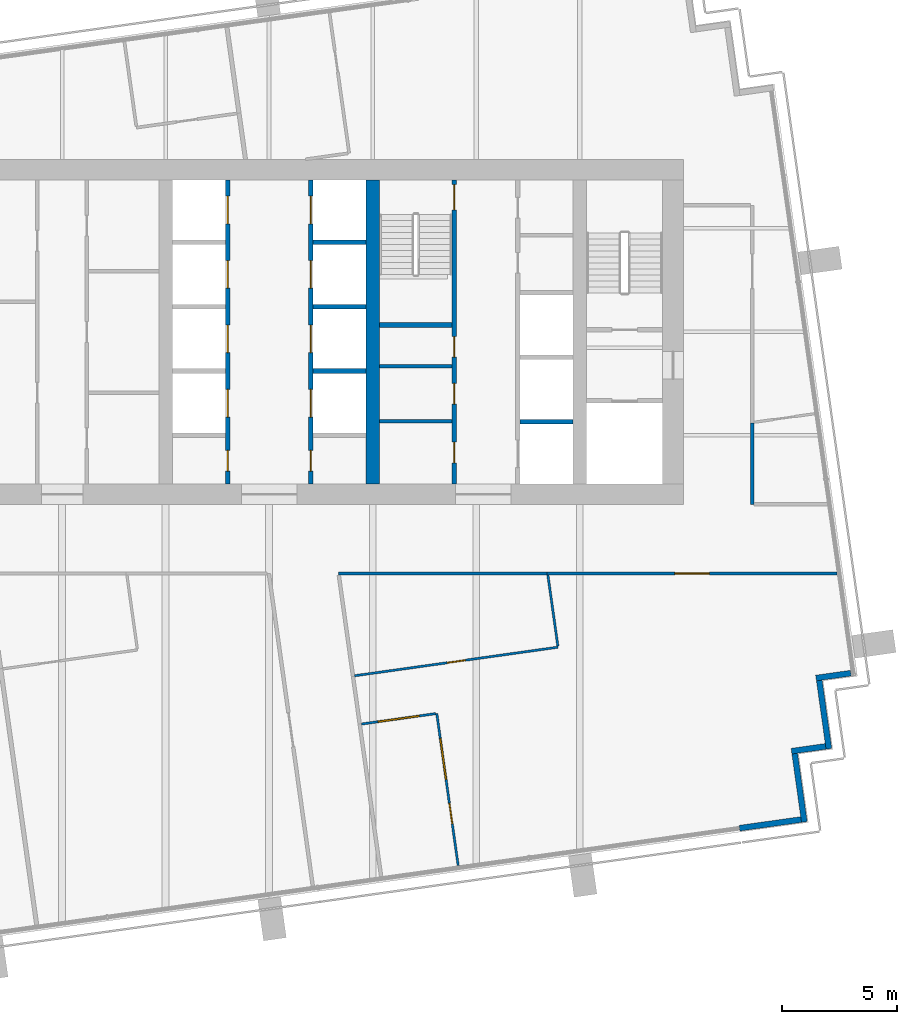
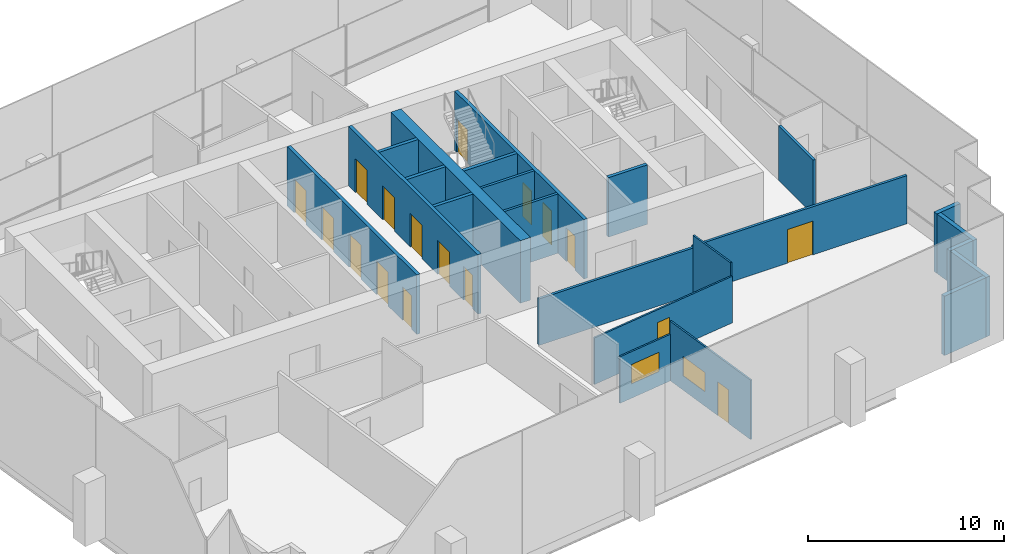
# One storey, part 9 of 15: 23 walls, 17 doors, 2 windows, 19 openings.
"""IFC4 building model written with IfcOpenShell, lengths in metres."""

from ifc_helpers import new_model, si_unit, direction, frame, frame_2d, origin, place, context, subcontext, project, spatial, rectangle, extrude, material, layer, layer_set, type_object, element, fill, save


model = new_model("IFC4")

# Units and contexts
model_context = context("Model", 3, precision=1e-05, world=origin(), true_north=direction((0.0, 1.0)))
body_context = subcontext(model_context, "Body", "Model", "MODEL_VIEW")
ifc_project = project(units=[si_unit("LENGTHUNIT", "METRE"), si_unit("AREAUNIT", "SQUARE_METRE"), si_unit("VOLUMEUNIT", "CUBIC_METRE"), si_unit("PLANEANGLEUNIT", "RADIAN"), si_unit("MASSUNIT", "GRAM", prefix="KILO")], contexts=[model_context])

# Site, building, storey
site_placement = place(None, origin())
site = spatial("IfcSite", under=ifc_project, at=site_placement, CompositionType="ELEMENT")
building_placement = place(site_placement, origin())
building = spatial("IfcBuilding", under=site, at=building_placement, Name="Rattan Terrace Tower", CompositionType="ELEMENT")
storey_placement = place(building_placement, frame((0.0, 0.0, 278.5)))
storey = spatial("IfcBuildingStorey", under=building, at=storey_placement, Name="L64", CompositionType="ELEMENT", Elevation=278.5)

# Walls
ifc_material_1 = material(Name="Gypsum board partition")
ifc_layer_1 = layer(ifc_material_1, 0.14990234375)
ifc_layer_set_1 = layer_set([ifc_layer_1], Name="Core partition 150")
wall_type_1 = type_object("IfcWallType", Name="Core partition 150", PredefinedType="PARTITIONING", material=ifc_layer_set_1)
for number, where, z_axis, x_axis, name in (
    (1, (4.800048828125, -3.8798828125, 0.0), (0.0, 0.0, 1.0), (1.0, 0.0, 0.0), "Toilet wall"),
    (2, (4.800048828125, -1.5, 0.0), (0.0, 0.0, 1.0), (1.0, 0.0, 0.0), "Toilet wall"),
):
    element("IfcWall", number, at=place(storey_placement, frame(where, z_axis=z_axis, x_axis=x_axis)), inside=storey, type_object=wall_type_1, Name=name, PredefinedType="PARTITIONING", context=body_context, shape_type="SweptSolid", body=[
        extrude(rectangle(XDim=3.14990234375, YDim=0.14990234375, at=frame_2d((1.574951171875, 0.0))), origin(), (0.0, 0.0, 1.0), 3.699951171875),
    ])

# Wall, openings, doors
ifc_material_2 = material(Name="Gypsum board partition")
ifc_layer_2 = layer(ifc_material_2, 0.199951171875)
ifc_layer_set_2 = layer_set([ifc_layer_2], Name="Core partition 200")
wall_type_2 = type_object("IfcWallType", Name="Core partition 200", PredefinedType="PARTITIONING", material=ifc_layer_set_2)
wall_1_placement = place(storey_placement, frame((8.050048828125, -6.60009765625, 0.0), z_axis=(0.0, 0.0, 1.0), x_axis=(0.0, 1.0, 0.0)))
wall_1 = element("IfcWall", 3, at=wall_1_placement, inside=storey, type_object=wall_type_2, Name="Lobby wall west", PredefinedType="PARTITIONING", context=body_context, shape_type="SweptSolid", body=[
    extrude(rectangle(XDim=13.2001953125, YDim=0.199951171875, at=frame_2d((6.60009765625, 0.0))), origin(), (0.0, 0.0, 1.0), 3.699951171875),
])
opening_1_placement = place(wall_1_placement, frame((0.909912109375, 0.0, 0.0)))
opening_1 = element("IfcOpeningElement", 4, at=opening_1_placement, cuts=wall_1, Name="Opening L64-D014", PredefinedType="OPENING", context=body_context, shape_type="SweptSolid", body=[
    extrude(rectangle(XDim=0.89990234375, YDim=2.10009765625, at=frame_2d((0.449951171875, 1.050048828125))), frame((0.0, 0.110595703125, 0.0), z_axis=(0.0, -1.0, 0.0), x_axis=(1.0, 0.0, 0.0)), (0.0, 0.0, 1.0), 0.220947265625),
])
opening_2_placement = place(wall_1_placement, frame((3.4599609375, 0.0, 0.0)))
opening_2 = element("IfcOpeningElement", 5, at=opening_2_placement, cuts=wall_1, Name="Opening L64-D015", PredefinedType="OPENING", context=body_context, shape_type="SweptSolid", body=[
    extrude(rectangle(XDim=0.89990234375, YDim=2.10009765625, at=frame_2d((0.449951171875, 1.050048828125))), frame((0.0, 0.110595703125, 0.0), z_axis=(0.0, -1.0, 0.0), x_axis=(1.0, 0.0, 0.0)), (0.0, 0.0, 1.0), 0.220947265625),
])
opening_3_placement = place(wall_1_placement, frame((5.5, 0.0, 0.0)))
opening_3 = element("IfcOpeningElement", 6, at=opening_3_placement, cuts=wall_1, Name="Opening L64-D016", PredefinedType="OPENING", context=body_context, shape_type="SweptSolid", body=[
    extrude(rectangle(XDim=0.89990234375, YDim=2.10009765625, at=frame_2d((0.449951171875, 1.050048828125))), frame((0.0, 0.110595703125, 0.0), z_axis=(0.0, -1.0, 0.0), x_axis=(1.0, 0.0, 0.0)), (0.0, 0.0, 1.0), 0.220947265625),
])
opening_4_placement = place(wall_1_placement, frame((11.89990234375, 0.0, 0.0)))
opening_4 = element("IfcOpeningElement", 7, at=opening_4_placement, cuts=wall_1, Name="Opening L64-D017", PredefinedType="OPENING", context=body_context, shape_type="SweptSolid", body=[
    extrude(rectangle(XDim=1.10009765625, YDim=2.10009765625, at=frame_2d((0.550048828125, 1.050048828125))), frame((0.0, 0.110595703125, 0.0), z_axis=(0.0, -1.0, 0.0), x_axis=(1.0, 0.0, 0.0)), (0.0, 0.0, 1.0), 0.220947265625),
])
ifc_material_3 = material(Name="Hollow-metal fire door leaf")
door_type_1 = type_object("IfcDoorType", Name="Core service room door 900", OperationType="NOTDEFINED", PredefinedType="DOOR", material=ifc_material_3)
door_1_placement = place(opening_3_placement, origin())
door_1 = element("IfcDoor", 8, at=door_1_placement, inside=storey, type_object=door_type_1, Name="Door L64-D016", OperationType="SINGLE_SWING_RIGHT", OverallHeight=2.10009765625, OverallWidth=0.89990234375, PredefinedType="DOOR", context=body_context, shape_type="SweptSolid", body=[
    extrude(rectangle(XDim=0.89990234375, YDim=2.10009765625, at=frame_2d((0.449951171875, 1.050048828125))), frame((0.0, 0.02490234375, 0.0), z_axis=(0.0, -1.0, 0.0), x_axis=(1.0, 0.0, 0.0)), (0.0, 0.0, 1.0), 0.050048828125),
])
fill(opening_3, door_1)
ifc_material_4 = material(Name="Hollow-metal fire door leaf")
door_type_2 = type_object("IfcDoorType", Name="Core stair door 1100", OperationType="NOTDEFINED", PredefinedType="DOOR", material=ifc_material_4)
door_2_placement = place(opening_4_placement, origin())
door_2 = element("IfcDoor", 9, at=door_2_placement, inside=storey, type_object=door_type_2, Name="Door L64-D017", OperationType="SINGLE_SWING_LEFT", OverallHeight=2.10009765625, OverallWidth=1.10009765625, PredefinedType="DOOR", context=body_context, shape_type="SweptSolid", body=[
    extrude(rectangle(XDim=1.10009765625, YDim=2.10009765625, at=frame_2d((0.550048828125, 1.050048828125))), frame((0.0, 0.02490234375, 0.0), z_axis=(0.0, -1.0, 0.0), x_axis=(1.0, 0.0, 0.0)), (0.0, 0.0, 1.0), 0.050048828125),
])
fill(opening_4, door_2)
ifc_material_5 = material(Name="Hollow-metal fire door leaf")
door_type_3 = type_object("IfcDoorType", Name="Core toilet door 900", OperationType="NOTDEFINED", PredefinedType="DOOR", material=ifc_material_5)
door_3_placement = place(opening_1_placement, origin())
door_3 = element("IfcDoor", 10, at=door_3_placement, inside=storey, type_object=door_type_3, Name="Door L64-D014", OperationType="SINGLE_SWING_RIGHT", OverallHeight=2.10009765625, OverallWidth=0.89990234375, PredefinedType="DOOR", context=body_context, shape_type="SweptSolid", body=[
    extrude(rectangle(XDim=0.89990234375, YDim=2.10009765625, at=frame_2d((0.449951171875, 1.050048828125))), frame((0.0, 0.02490234375, 0.0), z_axis=(0.0, -1.0, 0.0), x_axis=(1.0, 0.0, 0.0)), (0.0, 0.0, 1.0), 0.050048828125),
])
fill(opening_1, door_3)
door_4_placement = place(opening_2_placement, origin())
door_4 = element("IfcDoor", 11, at=door_4_placement, inside=storey, type_object=door_type_3, Name="Door L64-D015", OperationType="SINGLE_SWING_LEFT", OverallHeight=2.10009765625, OverallWidth=0.89990234375, PredefinedType="DOOR", context=body_context, shape_type="SweptSolid", body=[
    extrude(rectangle(XDim=0.89990234375, YDim=2.10009765625, at=frame_2d((0.449951171875, 1.050048828125))), frame((0.0, 0.02490234375, 0.0), z_axis=(0.0, -1.0, 0.0), x_axis=(1.0, 0.0, 0.0)), (0.0, 0.0, 1.0), 0.050048828125),
])
fill(opening_2, door_4)

# Walls
wall_2_placement = place(storey_placement, frame((4.800048828125, 0.300048828125, 0.0), z_axis=(0.0, 0.0, 1.0), x_axis=(1.0, 0.0, 0.0)))
element("IfcWall", 12, at=wall_2_placement, inside=storey, type_object=wall_type_2, Name="Stair enclosure wall", PredefinedType="PARTITIONING", context=body_context, shape_type="SweptSolid", body=[
    extrude(rectangle(XDim=3.14990234375, YDim=0.199951171875, at=frame_2d((1.574951171875, 0.0))), origin(), (0.0, 0.0, 1.0), 3.699951171875),
])
ifc_material_6 = material(Name="Concrete C50/60", Category="concrete")
ifc_layer_3 = layer(ifc_material_6, 0.60009765625)
ifc_layer_set_3 = layer_set([ifc_layer_3], Name="Core spine wall 600 C50/60")
wall_type_3 = type_object("IfcWallType", Name="Core spine wall 600 C50/60", PredefinedType="SHEAR", material=ifc_layer_set_3)
wall_3_placement = place(storey_placement, frame((4.5, -6.60009765625, -0.199951171875), z_axis=(0.0, 0.0, 1.0), x_axis=(0.0, 1.0, 0.0)))
element("IfcWall", 13, at=wall_3_placement, inside=storey, type_object=wall_type_3, Name="Core spine wall 3", PredefinedType="SHEAR", context=body_context, shape_type="SweptSolid", body=[
    extrude(rectangle(XDim=13.2001953125, YDim=0.60009765625, at=frame_2d((6.60009765625, 0.0))), origin(), (0.0, 0.0, 1.0), 3.89990234375),
])
ifc_material_7 = material(Name="Insulated aluminium-clad stud wall", Category="aluminium")
ifc_layer_4 = layer(ifc_material_7, 0.25)
ifc_layer_set_4 = layer_set([ifc_layer_4], Name="Facade Riser Wall 250")
wall_type_4 = type_object("IfcWallType", Name="Facade Riser Wall 250", PredefinedType="SOLIDWALL", material=ifc_layer_set_4)
wall_4_placement = place(storey_placement, frame((20.4404296875, -21.571533203125, 0.0), z_axis=(0.0, 0.0, 1.0), x_axis=(0.990293105353, 0.138994839796, 0.0)))
element("IfcWall", 14, at=wall_4_placement, inside=storey, type_object=wall_type_4, Name="Riser wall L64-1", PredefinedType="SOLIDWALL", context=body_context, shape_type="SweptSolid", body=[
    extrude(rectangle(XDim=2.705078125, YDim=0.25, at=frame_2d((1.3525390625, 0.0))), origin(), (0.0, 0.0, 1.0), 3.699951171875),
])
wall_5_placement = place(storey_placement, frame((23.260498046875, -21.302001953125, 0.0), z_axis=(0.0, 0.0, 1.0), x_axis=(-0.138994228812, 0.990293191109, 0.0)))
element("IfcWall", 15, at=wall_5_placement, inside=storey, type_object=wall_type_4, Name="Riser wall L64-2", PredefinedType="SOLIDWALL", context=body_context, shape_type="SweptSolid", body=[
    extrude(rectangle(XDim=3.0, YDim=0.25, at=frame_2d((1.5, 0.0))), origin(), (0.0, 0.0, 1.0), 3.699951171875),
])
wall_6_placement = place(storey_placement, frame((22.7021484375, -18.224853515625, 0.0), z_axis=(0.0, 0.0, 1.0), x_axis=(0.990243596651, 0.13934711799, 0.0)))
element("IfcWall", 16, at=wall_6_placement, inside=storey, type_object=wall_type_4, Name="Riser wall L64-3", PredefinedType="SOLIDWALL", context=body_context, shape_type="SweptSolid", body=[
    extrude(rectangle(XDim=1.499755859375, YDim=0.25, at=frame_2d((0.75, 0.0))), origin(), (0.0, 0.0, 1.0), 3.699951171875),
])
wall_7_placement = place(storey_placement, frame((24.328369140625, -18.1220703125, 0.0), z_axis=(0.0, 0.0, 1.0), x_axis=(-0.139358350296, 0.990242015975, 0.0)))
element("IfcWall", 17, at=wall_7_placement, inside=storey, type_object=wall_type_4, Name="Riser wall L64-4", PredefinedType="SOLIDWALL", context=body_context, shape_type="SweptSolid", body=[
    extrude(rectangle(XDim=2.999267578125, YDim=0.25, at=frame_2d((1.49951171875, 0.0))), origin(), (0.0, 0.0, 1.0), 3.699951171875),
])
wall_8_placement = place(storey_placement, frame((23.769287109375, -15.045654296875, 0.0), z_axis=(0.0, 0.0, 1.0), x_axis=(0.990260716096, 0.139225407725, 0.0)))
element("IfcWall", 18, at=wall_8_placement, inside=storey, type_object=wall_type_4, Name="Riser wall L64-5", PredefinedType="SOLIDWALL", context=body_context, shape_type="SweptSolid", body=[
    extrude(rectangle(XDim=1.525634765625, YDim=0.25, at=frame_2d((0.7626953125, 0.0))), origin(), (0.0, 0.0, 1.0), 3.699951171875),
])

# Wall, opening, window
ifc_material_8 = material(Name="Gypsum board partition on steel studs", Category="steel")
ifc_layer_5 = layer(ifc_material_8, 0.10009765625)
ifc_layer_set_5 = layer_set([ifc_layer_5], Name="Floors Partition 100")
wall_type_5 = type_object("IfcWallType", Name="Floors Partition 100", PredefinedType="PARTITIONING", material=ifc_layer_set_5)
wall_9_placement = place(storey_placement, frame((7.23388671875, -16.592041015625, 0.0), z_axis=(0.0, 0.0, 1.0), x_axis=(-0.990276766322, -0.139111200419, 0.0)))
wall_9 = element("IfcWall", 19, at=wall_9_placement, inside=storey, type_object=wall_type_5, Name="pt-L64-025", PredefinedType="PARTITIONING", context=body_context, shape_type="SweptSolid", body=[
    extrude(rectangle(XDim=3.255615234375, YDim=0.10009765625, at=frame_2d((1.6279296875, 0.0))), origin(), (0.0, 0.0, 1.0), 2.89990234375),
])
opening_5_placement = place(wall_9_placement, frame((0.72802734375, 0.0, 0.89990234375)))
opening_5 = element("IfcOpeningElement", 20, at=opening_5_placement, cuts=wall_9, Name="Opening L64-W100", PredefinedType="OPENING", context=body_context, shape_type="SweptSolid", body=[
    extrude(rectangle(XDim=1.800048828125, YDim=1.199951171875, at=frame_2d((0.89990234375, 0.60009765625))), frame((0.0, 0.060546875, 0.0), z_axis=(0.0, -1.0, 0.0), x_axis=(1.0, 0.0, 0.0)), (0.0, 0.0, 1.0), 0.12109375),
])
ifc_material_9 = material(Name="Glass, clear, fixed in aluminium frame", Category="aluminium")
window_type = type_object("IfcWindowType", Name="Interior Vision Window 1800x1200", PartitioningType="SINGLE_PANEL", PredefinedType="WINDOW", material=ifc_material_9)
window_1_placement = place(opening_5_placement, origin())
window_1 = element("IfcWindow", 21, at=window_1_placement, inside=storey, type_object=window_type, Name="w-L64-100", OverallHeight=1.199951171875, OverallWidth=1.800048828125, PartitioningType="SINGLE_PANEL", PredefinedType="WINDOW", context=body_context, shape_type="SweptSolid", body=[
    extrude(rectangle(XDim=1.800048828125, YDim=1.199951171875, at=frame_2d((0.89990234375, 0.60009765625))), frame((0.0, 0.030029296875, 0.0), z_axis=(0.0, -1.0, 0.0), x_axis=(1.0, 0.0, 0.0)), (0.0, 0.0, 1.0), 0.06005859375),
])
fill(opening_5, window_1)

# Wall, openings, door, window
wall_10_placement = place(storey_placement, frame((8.214111328125, -23.197998046875, 0.0), z_axis=(0.0, 0.0, 1.0), x_axis=(-0.139286759584, 0.990252088412, 0.0)))
wall_10 = element("IfcWall", 22, at=wall_10_placement, inside=storey, type_object=wall_type_5, Name="pt-L64-026", PredefinedType="PARTITIONING", context=body_context, shape_type="SweptSolid", body=[
    extrude(rectangle(XDim=6.67822265625, YDim=0.10009765625, at=frame_2d((3.339111328125, 0.0))), origin(), (0.0, 0.0, 1.0), 3.699951171875),
])
opening_6_placement = place(wall_10_placement, frame((1.833984375, 0.0, 0.0)))
opening_6 = element("IfcOpeningElement", 23, at=opening_6_placement, cuts=wall_10, Name="Opening L64-D105", PredefinedType="OPENING", context=body_context, shape_type="SweptSolid", body=[
    extrude(rectangle(XDim=0.89990234375, YDim=2.10009765625, at=frame_2d((0.449951171875, 1.050048828125))), frame((0.0, 0.060546875, 0.0), z_axis=(0.0, -1.0, 0.0), x_axis=(1.0, 0.0, 0.0)), (0.0, 0.0, 1.0), 0.12109375),
])
opening_7_placement = place(wall_10_placement, frame((3.781005859375, 0.0, 0.89990234375)))
opening_7 = element("IfcOpeningElement", 24, at=opening_7_placement, cuts=wall_10, Name="Opening L64-W101", PredefinedType="OPENING", context=body_context, shape_type="SweptSolid", body=[
    extrude(rectangle(XDim=1.800048828125, YDim=1.199951171875, at=frame_2d((0.89990234375, 0.60009765625))), frame((0.0, 0.060546875, 0.0), z_axis=(0.0, -1.0, 0.0), x_axis=(1.0, 0.0, 0.0)), (0.0, 0.0, 1.0), 0.12109375),
])
ifc_material_10 = material(Name="Solid core timber door, painted", Category="wood")
door_type_4 = type_object("IfcDoorType", Name="Floors Door 900x2100", OperationType="NOTDEFINED", PredefinedType="DOOR", material=ifc_material_10)
door_5_placement = place(opening_6_placement, origin())
door_5 = element("IfcDoor", 25, at=door_5_placement, inside=storey, type_object=door_type_4, Name="d-L64-105", OperationType="SINGLE_SWING_LEFT", OverallHeight=2.10009765625, OverallWidth=0.89990234375, PredefinedType="DOOR", context=body_context, shape_type="SweptSolid", body=[
    extrude(rectangle(XDim=0.89990234375, YDim=2.10009765625, at=frame_2d((0.449951171875, 1.050048828125))), frame((0.0, 0.02490234375, 0.0), z_axis=(0.0, -1.0, 0.0), x_axis=(1.0, 0.0, 0.0)), (0.0, 0.0, 1.0), 0.050048828125),
])
fill(opening_6, door_5)
window_2_placement = place(opening_7_placement, origin())
window_2 = element("IfcWindow", 26, at=window_2_placement, inside=storey, type_object=window_type, Name="w-L64-101", OverallHeight=1.199951171875, OverallWidth=1.800048828125, PartitioningType="SINGLE_PANEL", PredefinedType="WINDOW", context=body_context, shape_type="SweptSolid", body=[
    extrude(rectangle(XDim=1.800048828125, YDim=1.199951171875, at=frame_2d((0.89990234375, 0.60009765625))), frame((0.0, 0.030029296875, 0.0), z_axis=(0.0, -1.0, 0.0), x_axis=(1.0, 0.0, 0.0)), (0.0, 0.0, 1.0), 0.06005859375),
])
fill(opening_7, window_2)

# Wall, opening, door
wall_11_placement = place(storey_placement, frame((3.715087890625, -14.946044921875, 0.0), z_axis=(0.0, 0.0, 1.0), x_axis=(0.990272367152, 0.139142512753, 0.0)))
wall_11 = element("IfcWall", 27, at=wall_11_placement, inside=storey, type_object=wall_type_5, Name="pt-L64-027", PredefinedType="PARTITIONING", context=body_context, shape_type="SweptSolid", body=[
    extrude(rectangle(XDim=8.92578125, YDim=0.10009765625, at=frame_2d((4.462890625, 0.0))), origin(), (0.0, 0.0, 1.0), 2.89990234375),
])
opening_8_placement = place(wall_11_placement, frame((4.06298828125, 0.0, 0.0)))
opening_8 = element("IfcOpeningElement", 28, at=opening_8_placement, cuts=wall_11, Name="Opening L64-D106", PredefinedType="OPENING", context=body_context, shape_type="SweptSolid", body=[
    extrude(rectangle(XDim=0.800048828125, YDim=2.10009765625, at=frame_2d((0.39990234375, 1.050048828125))), frame((0.0, 0.060546875, 0.0), z_axis=(0.0, -1.0, 0.0), x_axis=(1.0, 0.0, 0.0)), (0.0, 0.0, 1.0), 0.12109375),
])
ifc_material_11 = material(Name="Solid core timber door, painted", Category="wood")
door_type_5 = type_object("IfcDoorType", Name="Floors Store Door 800x2100", OperationType="NOTDEFINED", PredefinedType="DOOR", material=ifc_material_11)
door_6_placement = place(opening_8_placement, origin())
door_6 = element("IfcDoor", 29, at=door_6_placement, inside=storey, type_object=door_type_5, Name="d-L64-106", OperationType="SINGLE_SWING_LEFT", OverallHeight=2.10009765625, OverallWidth=0.800048828125, PredefinedType="DOOR", context=body_context, shape_type="SweptSolid", body=[
    extrude(rectangle(XDim=0.800048828125, YDim=2.10009765625, at=frame_2d((0.39990234375, 1.050048828125))), frame((0.0, 0.02490234375, 0.0), z_axis=(0.0, -1.0, 0.0), x_axis=(1.0, 0.0, 0.0)), (0.0, 0.0, 1.0), 0.050048828125),
])
fill(opening_8, door_6)

# Wall
wall_12_placement = place(storey_placement, frame((12.547119140625, -13.654052734375, 0.0), z_axis=(0.0, 0.0, 1.0), x_axis=(-0.139293243016, 0.990251176445, 0.0)))
element("IfcWall", 30, at=wall_12_placement, inside=storey, type_object=wall_type_5, Name="pt-L64-028", PredefinedType="PARTITIONING", context=body_context, shape_type="SweptSolid", body=[
    extrude(rectangle(XDim=3.1162109375, YDim=0.10009765625, at=frame_2d((1.55810546875, 0.0))), origin(), (0.0, 0.0, 1.0), 3.699951171875),
])

# Wall, opening, door
ifc_material_12 = material(Name="Gypsum board partition on steel studs, fire rated", Category="steel")
ifc_layer_6 = layer(ifc_material_12, 0.14990234375)
ifc_layer_set_6 = layer_set([ifc_layer_6], Name="Floors Tenancy Wall 150")
wall_type_6 = type_object("IfcWallType", Name="Floors Tenancy Wall 150", PredefinedType="PARTITIONING", material=ifc_layer_set_6)
wall_13_placement = place(storey_placement, frame((24.679931640625, -10.5, 0.0), z_axis=(0.0, 0.0, 1.0), x_axis=(-1.0, 0.0, 0.0)))
wall_13 = element("IfcWall", 31, at=wall_13_placement, inside=storey, type_object=wall_type_6, Name="pt-L64-007", PredefinedType="PARTITIONING", context=body_context, shape_type="SweptSolid", body=[
    extrude(rectangle(XDim=12.596923828125, YDim=0.14990234375, at=frame_2d((6.29833984375, 0.0))), origin(), (0.0, 0.0, 1.0), 3.0),
])
opening_9_placement = place(wall_13_placement, frame((5.549072265625, 0.0, 0.0)))
opening_9 = element("IfcOpeningElement", 32, at=opening_9_placement, cuts=wall_13, Name="Opening L64-D104", PredefinedType="OPENING", context=body_context, shape_type="SweptSolid", body=[
    extrude(rectangle(XDim=1.5, YDim=2.10009765625, at=frame_2d((0.75, 1.050048828125))), frame((0.0, 0.08544921875, 0.0), z_axis=(0.0, -1.0, 0.0), x_axis=(1.0, 0.0, 0.0)), (0.0, 0.0, 1.0), 0.1708984375),
])
ifc_material_13 = material(Name="Steel fire door set", Category="steel")
door_type_6 = type_object("IfcDoorType", Name="Floors Unit Door Pair FD30S 1500x2100", OperationType="NOTDEFINED", PredefinedType="DOOR", material=ifc_material_13)
door_7_placement = place(opening_9_placement, origin())
door_7 = element("IfcDoor", 33, at=door_7_placement, inside=storey, type_object=door_type_6, Name="d-L64-104", OperationType="DOUBLE_DOOR_SINGLE_SWING", OverallHeight=2.10009765625, OverallWidth=1.5, PredefinedType="DOOR", context=body_context, shape_type="SweptSolid", body=[
    extrude(rectangle(XDim=1.5, YDim=2.10009765625, at=frame_2d((0.75, 1.050048828125))), frame((0.0, 0.02490234375, 0.0), z_axis=(0.0, -1.0, 0.0), x_axis=(1.0, 0.0, 0.0)), (0.0, 0.0, 1.0), 0.050048828125),
])
fill(opening_9, door_7)

# Walls
wall_14_placement = place(storey_placement, frame((12.0830078125, -10.5, 0.0), z_axis=(0.0, 0.0, 1.0), x_axis=(-1.0, 0.0, 0.0)))
element("IfcWall", 34, at=wall_14_placement, inside=storey, type_object=wall_type_6, Name="pt-L64-010", PredefinedType="PARTITIONING", context=body_context, shape_type="SweptSolid", body=[
    extrude(rectangle(XDim=9.068115234375, YDim=0.14990234375, at=frame_2d((4.5341796875, 0.0))), origin(), (0.0, 0.0, 1.0), 2.89990234375),
])
wall_15_placement = place(storey_placement, frame((21.0, -3.9580078125, 0.0), z_axis=(0.0, 0.0, 1.0), x_axis=(0.0, -1.0, 0.0)))
element("IfcWall", 35, at=wall_15_placement, inside=storey, type_object=wall_type_6, Name="pt-L64-017", PredefinedType="PARTITIONING", context=body_context, shape_type="SweptSolid", body=[
    extrude(rectangle(XDim=3.5419921875, YDim=0.14990234375, at=frame_2d((1.77099609375, 0.0))), origin(), (0.0, 0.0, 1.0), 3.39990234375),
])

# Wall, openings, doors
ifc_material_14 = material(Name="Gypsum shaft wall system")
ifc_layer_7 = layer(ifc_material_14, 0.199951171875)
ifc_layer_set_7 = layer_set([ifc_layer_7], Name="Lift shaft wall 200")
wall_type_7 = type_object("IfcWallType", Name="Lift shaft wall 200", PredefinedType="PARTITIONING", material=ifc_layer_set_7)
wall_16_placement = place(storey_placement, frame((-1.800048828125, -6.60009765625, 0.0), z_axis=(0.0, 0.0, 1.0), x_axis=(0.0, 1.0, 0.0)))
wall_16 = element("IfcWall", 36, at=wall_16_placement, inside=storey, type_object=wall_type_7, Name="Lift shaft front wall", PredefinedType="PARTITIONING", context=body_context, shape_type="SweptSolid", body=[
    extrude(rectangle(XDim=13.2001953125, YDim=0.199951171875, at=frame_2d((6.60009765625, 0.0))), origin(), (0.0, 0.0, 1.0), 3.699951171875),
])
opening_10_placement = place(wall_16_placement, frame((0.550048828125, 0.0, 0.0)))
opening_10 = element("IfcOpeningElement", 37, at=opening_10_placement, cuts=wall_16, Name="Opening L64-D011", PredefinedType="OPENING", context=body_context, shape_type="SweptSolid", body=[
    extrude(rectangle(XDim=0.89990234375, YDim=2.10009765625, at=frame_2d((0.449951171875, 1.050048828125))), frame((0.0, 0.110595703125, 0.0), z_axis=(0.0, -1.0, 0.0), x_axis=(1.0, 0.0, 0.0)), (0.0, 0.0, 1.0), 0.220947265625),
])
opening_11_placement = place(wall_16_placement, frame((2.89990234375, 0.0, 0.0)))
opening_11 = element("IfcOpeningElement", 38, at=opening_11_placement, cuts=wall_16, Name="Opening L64-LD-HR1", PredefinedType="OPENING", context=body_context, shape_type="SweptSolid", body=[
    extrude(rectangle(XDim=1.199951171875, YDim=2.10009765625, at=frame_2d((0.60009765625, 1.050048828125))), frame((0.0, 0.110595703125, 0.0), z_axis=(0.0, -1.0, 0.0), x_axis=(1.0, 0.0, 0.0)), (0.0, 0.0, 1.0), 0.220947265625),
])
opening_12_placement = place(wall_16_placement, frame((5.699951171875, 0.0, 0.0)))
opening_12 = element("IfcOpeningElement", 39, at=opening_12_placement, cuts=wall_16, Name="Opening L64-LD-HR2", PredefinedType="OPENING", context=body_context, shape_type="SweptSolid", body=[
    extrude(rectangle(XDim=1.199951171875, YDim=2.10009765625, at=frame_2d((0.60009765625, 1.050048828125))), frame((0.0, 0.110595703125, 0.0), z_axis=(0.0, -1.0, 0.0), x_axis=(1.0, 0.0, 0.0)), (0.0, 0.0, 1.0), 0.220947265625),
])
opening_13_placement = place(wall_16_placement, frame((8.5, 0.0, 0.0)))
opening_13 = element("IfcOpeningElement", 40, at=opening_13_placement, cuts=wall_16, Name="Opening L64-LD-HR3", PredefinedType="OPENING", context=body_context, shape_type="SweptSolid", body=[
    extrude(rectangle(XDim=1.199951171875, YDim=2.10009765625, at=frame_2d((0.60009765625, 1.050048828125))), frame((0.0, 0.110595703125, 0.0), z_axis=(0.0, -1.0, 0.0), x_axis=(1.0, 0.0, 0.0)), (0.0, 0.0, 1.0), 0.220947265625),
])
opening_14_placement = place(wall_16_placement, frame((11.300048828125, 0.0, 0.0)))
opening_14 = element("IfcOpeningElement", 41, at=opening_14_placement, cuts=wall_16, Name="Opening L64-LD-HR4", PredefinedType="OPENING", context=body_context, shape_type="SweptSolid", body=[
    extrude(rectangle(XDim=1.199951171875, YDim=2.10009765625, at=frame_2d((0.60009765625, 1.050048828125))), frame((0.0, 0.110595703125, 0.0), z_axis=(0.0, -1.0, 0.0), x_axis=(1.0, 0.0, 0.0)), (0.0, 0.0, 1.0), 0.220947265625),
])
ifc_material_15 = material(Name="Brushed stainless landing door panel")
door_type_7 = type_object("IfcDoorType", Name="Core lift landing door 1200", OperationType="DOUBLE_DOOR_SLIDING", PredefinedType="DOOR", material=ifc_material_15)
door_8_placement = place(opening_11_placement, origin())
door_8 = element("IfcDoor", 42, at=door_8_placement, inside=storey, type_object=door_type_7, Name="Door L64-LD-HR1", OperationType="DOUBLE_DOOR_SLIDING", OverallHeight=2.10009765625, OverallWidth=1.199951171875, PredefinedType="DOOR", context=body_context, shape_type="SweptSolid", body=[
    extrude(rectangle(XDim=1.199951171875, YDim=2.10009765625, at=frame_2d((0.60009765625, 1.050048828125))), frame((0.0, 0.02490234375, 0.0), z_axis=(0.0, -1.0, 0.0), x_axis=(1.0, 0.0, 0.0)), (0.0, 0.0, 1.0), 0.050048828125),
])
fill(opening_11, door_8)
door_9_placement = place(opening_12_placement, origin())
door_9 = element("IfcDoor", 43, at=door_9_placement, inside=storey, type_object=door_type_7, Name="Door L64-LD-HR2", OperationType="DOUBLE_DOOR_SLIDING", OverallHeight=2.10009765625, OverallWidth=1.199951171875, PredefinedType="DOOR", context=body_context, shape_type="SweptSolid", body=[
    extrude(rectangle(XDim=1.199951171875, YDim=2.10009765625, at=frame_2d((0.60009765625, 1.050048828125))), frame((0.0, 0.02490234375, 0.0), z_axis=(0.0, -1.0, 0.0), x_axis=(1.0, 0.0, 0.0)), (0.0, 0.0, 1.0), 0.050048828125),
])
fill(opening_12, door_9)
door_10_placement = place(opening_13_placement, origin())
door_10 = element("IfcDoor", 44, at=door_10_placement, inside=storey, type_object=door_type_7, Name="Door L64-LD-HR3", OperationType="DOUBLE_DOOR_SLIDING", OverallHeight=2.10009765625, OverallWidth=1.199951171875, PredefinedType="DOOR", context=body_context, shape_type="SweptSolid", body=[
    extrude(rectangle(XDim=1.199951171875, YDim=2.10009765625, at=frame_2d((0.60009765625, 1.050048828125))), frame((0.0, 0.02490234375, 0.0), z_axis=(0.0, -1.0, 0.0), x_axis=(1.0, 0.0, 0.0)), (0.0, 0.0, 1.0), 0.050048828125),
])
fill(opening_13, door_10)
door_11_placement = place(opening_14_placement, origin())
door_11 = element("IfcDoor", 45, at=door_11_placement, inside=storey, type_object=door_type_7, Name="Door L64-LD-HR4", OperationType="DOUBLE_DOOR_SLIDING", OverallHeight=2.10009765625, OverallWidth=1.199951171875, PredefinedType="DOOR", context=body_context, shape_type="SweptSolid", body=[
    extrude(rectangle(XDim=1.199951171875, YDim=2.10009765625, at=frame_2d((0.60009765625, 1.050048828125))), frame((0.0, 0.02490234375, 0.0), z_axis=(0.0, -1.0, 0.0), x_axis=(1.0, 0.0, 0.0)), (0.0, 0.0, 1.0), 0.050048828125),
])
fill(opening_14, door_11)
ifc_material_16 = material(Name="Hollow-metal fire door leaf")
door_type_8 = type_object("IfcDoorType", Name="Core riser door 900", OperationType="NOTDEFINED", PredefinedType="DOOR", material=ifc_material_16)
door_12_placement = place(opening_10_placement, origin())
door_12 = element("IfcDoor", 46, at=door_12_placement, inside=storey, type_object=door_type_8, Name="Door L64-D011", OperationType="SINGLE_SWING_RIGHT", OverallHeight=2.10009765625, OverallWidth=0.89990234375, PredefinedType="DOOR", context=body_context, shape_type="SweptSolid", body=[
    extrude(rectangle(XDim=0.89990234375, YDim=2.10009765625, at=frame_2d((0.449951171875, 1.050048828125))), frame((0.0, 0.02490234375, 0.0), z_axis=(0.0, -1.0, 0.0), x_axis=(1.0, 0.0, 0.0)), (0.0, 0.0, 1.0), 0.050048828125),
])
fill(opening_10, door_12)

wall_17_placement = place(storey_placement, frame((1.800048828125, -6.60009765625, 0.0), z_axis=(0.0, 0.0, 1.0), x_axis=(0.0, 1.0, 0.0)))
wall_17 = element("IfcWall", 47, at=wall_17_placement, inside=storey, type_object=wall_type_7, Name="Lift shaft front wall", PredefinedType="PARTITIONING", context=body_context, shape_type="SweptSolid", body=[
    extrude(rectangle(XDim=13.2001953125, YDim=0.199951171875, at=frame_2d((6.60009765625, 0.0))), origin(), (0.0, 0.0, 1.0), 3.699951171875),
])
opening_15_placement = place(wall_17_placement, frame((0.550048828125, 0.0, 0.0)))
opening_15 = element("IfcOpeningElement", 48, at=opening_15_placement, cuts=wall_17, Name="Opening L64-D012", PredefinedType="OPENING", context=body_context, shape_type="SweptSolid", body=[
    extrude(rectangle(XDim=0.89990234375, YDim=2.10009765625, at=frame_2d((0.449951171875, 1.050048828125))), frame((0.0, 0.110595703125, 0.0), z_axis=(0.0, -1.0, 0.0), x_axis=(1.0, 0.0, 0.0)), (0.0, 0.0, 1.0), 0.220947265625),
])
opening_16_placement = place(wall_17_placement, frame((2.89990234375, 0.0, 0.0)))
opening_16 = element("IfcOpeningElement", 49, at=opening_16_placement, cuts=wall_17, Name="Opening L64-LD-HR5", PredefinedType="OPENING", context=body_context, shape_type="SweptSolid", body=[
    extrude(rectangle(XDim=1.199951171875, YDim=2.10009765625, at=frame_2d((0.60009765625, 1.050048828125))), frame((0.0, 0.110595703125, 0.0), z_axis=(0.0, -1.0, 0.0), x_axis=(1.0, 0.0, 0.0)), (0.0, 0.0, 1.0), 0.220947265625),
])
opening_17_placement = place(wall_17_placement, frame((5.699951171875, 0.0, 0.0)))
opening_17 = element("IfcOpeningElement", 50, at=opening_17_placement, cuts=wall_17, Name="Opening L64-LD-HR6", PredefinedType="OPENING", context=body_context, shape_type="SweptSolid", body=[
    extrude(rectangle(XDim=1.199951171875, YDim=2.10009765625, at=frame_2d((0.60009765625, 1.050048828125))), frame((0.0, 0.110595703125, 0.0), z_axis=(0.0, -1.0, 0.0), x_axis=(1.0, 0.0, 0.0)), (0.0, 0.0, 1.0), 0.220947265625),
])
opening_18_placement = place(wall_17_placement, frame((8.5, 0.0, 0.0)))
opening_18 = element("IfcOpeningElement", 51, at=opening_18_placement, cuts=wall_17, Name="Opening L64-LD-HR7", PredefinedType="OPENING", context=body_context, shape_type="SweptSolid", body=[
    extrude(rectangle(XDim=1.199951171875, YDim=2.10009765625, at=frame_2d((0.60009765625, 1.050048828125))), frame((0.0, 0.110595703125, 0.0), z_axis=(0.0, -1.0, 0.0), x_axis=(1.0, 0.0, 0.0)), (0.0, 0.0, 1.0), 0.220947265625),
])
opening_19_placement = place(wall_17_placement, frame((11.300048828125, 0.0, 0.0)))
opening_19 = element("IfcOpeningElement", 52, at=opening_19_placement, cuts=wall_17, Name="Opening L64-LD-HR8", PredefinedType="OPENING", context=body_context, shape_type="SweptSolid", body=[
    extrude(rectangle(XDim=1.199951171875, YDim=2.10009765625, at=frame_2d((0.60009765625, 1.050048828125))), frame((0.0, 0.110595703125, 0.0), z_axis=(0.0, -1.0, 0.0), x_axis=(1.0, 0.0, 0.0)), (0.0, 0.0, 1.0), 0.220947265625),
])
door_13_placement = place(opening_16_placement, origin())
door_13 = element("IfcDoor", 53, at=door_13_placement, inside=storey, type_object=door_type_7, Name="Door L64-LD-HR5", OperationType="DOUBLE_DOOR_SLIDING", OverallHeight=2.10009765625, OverallWidth=1.199951171875, PredefinedType="DOOR", context=body_context, shape_type="SweptSolid", body=[
    extrude(rectangle(XDim=1.199951171875, YDim=2.10009765625, at=frame_2d((0.60009765625, 1.050048828125))), frame((0.0, 0.02490234375, 0.0), z_axis=(0.0, -1.0, 0.0), x_axis=(1.0, 0.0, 0.0)), (0.0, 0.0, 1.0), 0.050048828125),
])
fill(opening_16, door_13)
door_14_placement = place(opening_17_placement, origin())
door_14 = element("IfcDoor", 54, at=door_14_placement, inside=storey, type_object=door_type_7, Name="Door L64-LD-HR6", OperationType="DOUBLE_DOOR_SLIDING", OverallHeight=2.10009765625, OverallWidth=1.199951171875, PredefinedType="DOOR", context=body_context, shape_type="SweptSolid", body=[
    extrude(rectangle(XDim=1.199951171875, YDim=2.10009765625, at=frame_2d((0.60009765625, 1.050048828125))), frame((0.0, 0.02490234375, 0.0), z_axis=(0.0, -1.0, 0.0), x_axis=(1.0, 0.0, 0.0)), (0.0, 0.0, 1.0), 0.050048828125),
])
fill(opening_17, door_14)
door_15_placement = place(opening_18_placement, origin())
door_15 = element("IfcDoor", 55, at=door_15_placement, inside=storey, type_object=door_type_7, Name="Door L64-LD-HR7", OperationType="DOUBLE_DOOR_SLIDING", OverallHeight=2.10009765625, OverallWidth=1.199951171875, PredefinedType="DOOR", context=body_context, shape_type="SweptSolid", body=[
    extrude(rectangle(XDim=1.199951171875, YDim=2.10009765625, at=frame_2d((0.60009765625, 1.050048828125))), frame((0.0, 0.02490234375, 0.0), z_axis=(0.0, -1.0, 0.0), x_axis=(1.0, 0.0, 0.0)), (0.0, 0.0, 1.0), 0.050048828125),
])
fill(opening_18, door_15)
door_16_placement = place(opening_19_placement, origin())
door_16 = element("IfcDoor", 56, at=door_16_placement, inside=storey, type_object=door_type_7, Name="Door L64-LD-HR8", OperationType="DOUBLE_DOOR_SLIDING", OverallHeight=2.10009765625, OverallWidth=1.199951171875, PredefinedType="DOOR", context=body_context, shape_type="SweptSolid", body=[
    extrude(rectangle(XDim=1.199951171875, YDim=2.10009765625, at=frame_2d((0.60009765625, 1.050048828125))), frame((0.0, 0.02490234375, 0.0), z_axis=(0.0, -1.0, 0.0), x_axis=(1.0, 0.0, 0.0)), (0.0, 0.0, 1.0), 0.050048828125),
])
fill(opening_19, door_16)
door_17_placement = place(opening_15_placement, origin())
door_17 = element("IfcDoor", 57, at=door_17_placement, inside=storey, type_object=door_type_8, Name="Door L64-D012", OperationType="SINGLE_SWING_LEFT", OverallHeight=2.10009765625, OverallWidth=0.89990234375, PredefinedType="DOOR", context=body_context, shape_type="SweptSolid", body=[
    extrude(rectangle(XDim=0.89990234375, YDim=2.10009765625, at=frame_2d((0.449951171875, 1.050048828125))), frame((0.0, 0.02490234375, 0.0), z_axis=(0.0, -1.0, 0.0), x_axis=(1.0, 0.0, 0.0)), (0.0, 0.0, 1.0), 0.050048828125),
])
fill(opening_15, door_17)

# Walls
for number, where, z_axis, x_axis, name in (
    (58, (1.89990234375, -1.699951171875, 0.0), (0.0, 0.0, 1.0), (1.0, 0.0, 0.0), "Lift shaft wall"),
    (59, (1.89990234375, 1.10009765625, 0.0), (0.0, 0.0, 1.0), (1.0, 0.0, 0.0), "Lift shaft wall"),
    (60, (1.89990234375, 3.89990234375, 0.0), (0.0, 0.0, 1.0), (1.0, 0.0, 0.0), "Lift shaft wall"),
    (61, (10.89990234375, -3.89990234375, 0.0), (0.0, 0.0, 1.0), (1.0, 0.0, 0.0), "Lift shaft wall"),
):
    element("IfcWall", number, at=place(storey_placement, frame(where, z_axis=z_axis, x_axis=x_axis)), inside=storey, type_object=wall_type_7, Name=name, PredefinedType="PARTITIONING", context=body_context, shape_type="SweptSolid", body=[
        extrude(rectangle(XDim=2.300048828125, YDim=0.199951171875, at=frame_2d((1.14990234375, 0.0))), origin(), (0.0, 0.0, 1.0), 3.699951171875),
    ])

save(model, "model.ifc")
